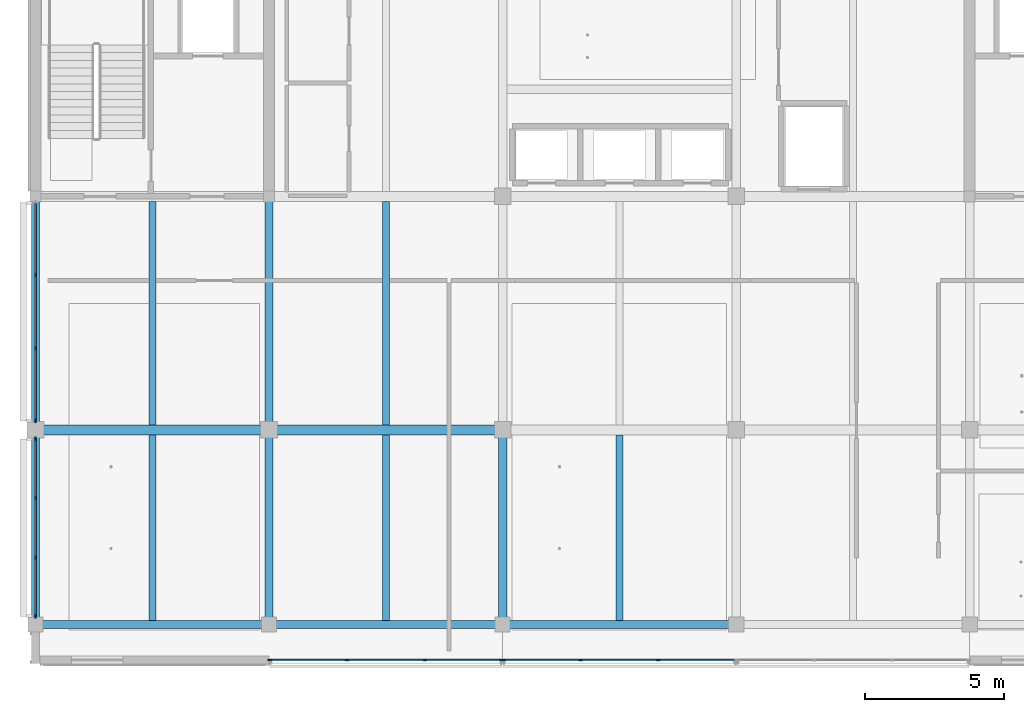
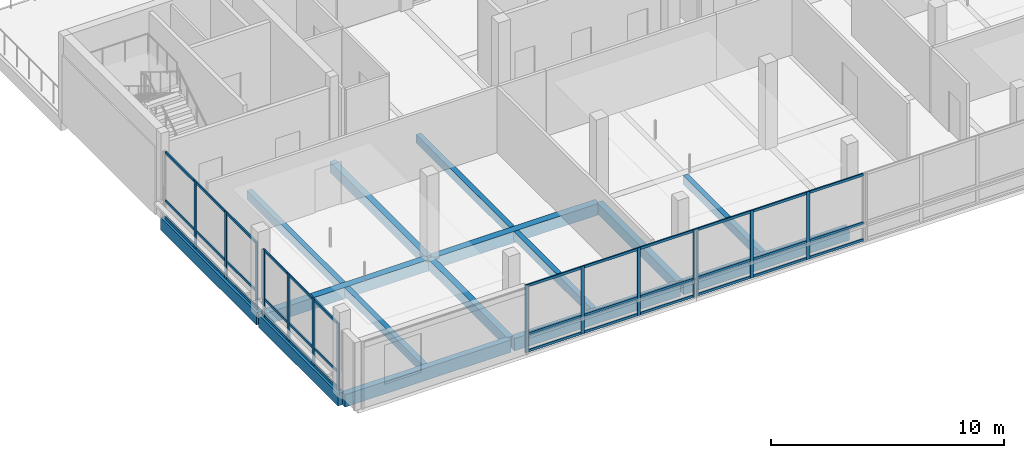
# One storey, part 2 of 25: 50 members, 15 beams, 4 elements without a shape of their own.
"""IFC4 building model written with IfcOpenShell, lengths in metres."""

from ifc_helpers import new_model, si_unit, direction, frame, origin, origin_2d, place, context, subcontext, project, spatial, rectangle, extrude, material, layer, layer_set, material_profile, profile_set, type_object, element, aggregate, save


model = new_model("IFC4")

# Units and contexts
model_context = context("Model", 3, precision=1e-05, world=origin(), true_north=direction((0.0, 1.0)))
body_context = subcontext(model_context, "Body", "Model", "MODEL_VIEW")
ifc_project = project(units=[si_unit("LENGTHUNIT", "METRE"), si_unit("AREAUNIT", "SQUARE_METRE"), si_unit("VOLUMEUNIT", "CUBIC_METRE"), si_unit("PLANEANGLEUNIT", "RADIAN"), si_unit("MASSUNIT", "GRAM", prefix="KILO")], contexts=[model_context])

# Site, building, storey
site_placement = place(None, origin())
site = spatial("IfcSite", under=ifc_project, at=site_placement, CompositionType="ELEMENT")
building_placement = place(site_placement, origin())
building = spatial("IfcBuilding", under=site, at=building_placement, Name="Telukmera Botanical Conservatory", CompositionType="ELEMENT")
storey_placement = place(building_placement, frame((0.0, 0.0, 64.5)))
storey = spatial("IfcBuildingStorey", under=building, at=storey_placement, Name="L14", CompositionType="ELEMENT", Elevation=64.5)

# Beams
ifc_material_1 = material(Name="Concrete C40/50", Category="concrete")
ifc_material_profile_1 = material_profile(ifc_material_1, rectangle(XDim=0.300048828125, YDim=0.550048828125, at=origin_2d()), Name="RC 300x550")
ifc_profile_set_1 = profile_set([ifc_material_profile_1], Name="Concrete C40/50")
beam_type_1 = type_object("IfcBeamType", Name="Beam_B10", PredefinedType="BEAM", material=ifc_profile_set_1)
beam_1_placement = place(storey_placement, frame((67.199951171875, 10.679931640625, -0.27490234375), z_axis=(0.0, 1.0, 0.0), x_axis=(-1.0, 0.0, 0.0)))
element("IfcBeam", 1, at=beam_1_placement, inside=storey, type_object=beam_type_1, Name="Tower Transverse Beam L14", PredefinedType="BEAM", context=body_context, shape_type="SweptSolid", body=[
    extrude(rectangle(XDim=0.300048828125, YDim=0.550048828125, at=origin_2d()), origin(), (0.0, 0.0, 1.0), 6.840087890625),
])
beam_2_placement = place(storey_placement, frame((67.199951171875, 17.679931640625, -0.27490234375), z_axis=(0.0, 1.0, 0.0), x_axis=(-1.0, 0.0, 0.0)))
element("IfcBeam", 2, at=beam_2_placement, inside=storey, type_object=beam_type_1, Name="Tower Transverse Beam L14", PredefinedType="BEAM", context=body_context, shape_type="SweptSolid", body=[
    extrude(rectangle(XDim=0.300048828125, YDim=0.550048828125, at=origin_2d()), origin(), (0.0, 0.0, 1.0), 8.239990234375),
])
beam_3_placement = place(storey_placement, frame((75.60009765625, 10.679931640625, -0.27490234375), z_axis=(0.0, 1.0, 0.0), x_axis=(-1.0, 0.0, 0.0)))
element("IfcBeam", 3, at=beam_3_placement, inside=storey, type_object=beam_type_1, Name="Tower Transverse Beam L14", PredefinedType="BEAM", context=body_context, shape_type="SweptSolid", body=[
    extrude(rectangle(XDim=0.300048828125, YDim=0.550048828125, at=origin_2d()), origin(), (0.0, 0.0, 1.0), 6.840087890625),
])
ifc_material_profile_2 = material_profile(ifc_material_1, rectangle(XDim=0.25, YDim=0.449951171875, at=origin_2d()), Name="RC 250x450")
ifc_profile_set_2 = profile_set([ifc_material_profile_2], Name="Concrete C40/50")
beam_type_2 = type_object("IfcBeamType", Name="Beam_B27", PredefinedType="JOIST", material=ifc_profile_set_2)
beam_4_placement = place(storey_placement, frame((63.0, 10.75, -0.22509765625), z_axis=(0.0, 1.0, 0.0), x_axis=(-1.0, 0.0, 0.0)))
element("IfcBeam", 4, at=beam_4_placement, inside=storey, type_object=beam_type_2, Name="Tower Secondary Floor Joist L14", PredefinedType="JOIST", context=body_context, shape_type="SweptSolid", body=[
    extrude(rectangle(XDim=0.25, YDim=0.449951171875, at=origin_2d()), origin(), (0.0, 0.0, 1.0), 6.675048828125),
])
beam_5_placement = place(storey_placement, frame((63.0, 17.77490234375, -0.22509765625), z_axis=(0.0, 1.0, 0.0), x_axis=(-1.0, 0.0, 0.0)))
element("IfcBeam", 5, at=beam_5_placement, inside=storey, type_object=beam_type_2, Name="Tower Secondary Floor Joist L14", PredefinedType="JOIST", context=body_context, shape_type="SweptSolid", body=[
    extrude(rectangle(XDim=0.25, YDim=0.449951171875, at=origin_2d()), origin(), (0.0, 0.0, 1.0), 8.050048828125),
])
beam_6_placement = place(storey_placement, frame((71.39990234375, 10.75, -0.22509765625), z_axis=(0.0, 1.0, 0.0), x_axis=(-1.0, 0.0, 0.0)))
element("IfcBeam", 6, at=beam_6_placement, inside=storey, type_object=beam_type_2, Name="Tower Secondary Floor Joist L14", PredefinedType="JOIST", context=body_context, shape_type="SweptSolid", body=[
    extrude(rectangle(XDim=0.25, YDim=0.449951171875, at=origin_2d()), origin(), (0.0, 0.0, 1.0), 6.675048828125),
])
beam_7_placement = place(storey_placement, frame((71.39990234375, 17.77490234375, -0.22509765625), z_axis=(0.0, 1.0, 0.0), x_axis=(-1.0, 0.0, 0.0)))
element("IfcBeam", 7, at=beam_7_placement, inside=storey, type_object=beam_type_2, Name="Tower Secondary Floor Joist L14", PredefinedType="JOIST", context=body_context, shape_type="SweptSolid", body=[
    extrude(rectangle(XDim=0.25, YDim=0.449951171875, at=origin_2d()), origin(), (0.0, 0.0, 1.0), 8.050048828125),
])
beam_8_placement = place(storey_placement, frame((79.800048828125, 10.75, -0.22509765625), z_axis=(0.0, 1.0, 0.0), x_axis=(-1.0, 0.0, 0.0)))
element("IfcBeam", 8, at=beam_8_placement, inside=storey, type_object=beam_type_2, Name="Tower Secondary Floor Joist L14", PredefinedType="JOIST", context=body_context, shape_type="SweptSolid", body=[
    extrude(rectangle(XDim=0.25, YDim=0.449951171875, at=origin_2d()), origin(), (0.0, 0.0, 1.0), 6.675048828125),
])
ifc_material_profile_3 = material_profile(ifc_material_1, rectangle(XDim=0.35009765625, YDim=0.60009765625, at=origin_2d()), Name="RC 350x600")
ifc_profile_set_3 = profile_set([ifc_material_profile_3], Name="Concrete C40/50")
beam_type_3 = type_object("IfcBeamType", Name="Beam_B9", PredefinedType="BEAM", material=ifc_profile_set_3)
beam_9_placement = place(storey_placement, frame((58.8798828125, 17.60009765625, -0.300048828125), z_axis=(1.0, 0.0, 0.0), x_axis=(0.0, 1.0, 0.0)))
element("IfcBeam", 9, at=beam_9_placement, inside=storey, type_object=beam_type_3, Name="Tower Grid Beam L14", PredefinedType="BEAM", context=body_context, shape_type="SweptSolid", body=[
    extrude(rectangle(XDim=0.35009765625, YDim=0.60009765625, at=origin_2d()), origin(), (0.0, 0.0, 1.0), 8.240234375),
])
beam_10_placement = place(storey_placement, frame((67.280029296875, 17.60009765625, -0.300048828125), z_axis=(1.0, 0.0, 0.0), x_axis=(0.0, 1.0, 0.0)))
element("IfcBeam", 10, at=beam_10_placement, inside=storey, type_object=beam_type_3, Name="Tower Grid Beam L14", PredefinedType="BEAM", context=body_context, shape_type="SweptSolid", body=[
    extrude(rectangle(XDim=0.35009765625, YDim=0.60009765625, at=origin_2d()), origin(), (0.0, 0.0, 1.0), 8.239990234375),
])
ifc_material_2 = material(Name="Precast concrete C40/50", Category="concrete")
ifc_material_profile_4 = material_profile(ifc_material_2, rectangle(XDim=0.300048828125, YDim=0.64990234375, at=origin_2d()), Name="PC 300x650")
ifc_profile_set_4 = profile_set([ifc_material_profile_4], Name="Precast concrete C40/50")
beam_type_4 = type_object("IfcBeamType", Name="Beam_SP4", PredefinedType="SPANDREL", material=ifc_profile_set_4)
beam_11_placement = place(storey_placement, frame((58.8798828125, 10.60009765625, -0.324951171875), z_axis=(1.0, 0.0, 0.0), x_axis=(0.0, 1.0, 0.0)))
element("IfcBeam", 11, at=beam_11_placement, inside=storey, type_object=beam_type_4, Name="Tower Grid Beam L14", PredefinedType="SPANDREL", context=body_context, shape_type="SweptSolid", body=[
    extrude(rectangle(XDim=0.300048828125, YDim=0.64990234375, at=origin_2d()), origin(), (0.0, 0.0, 1.0), 8.240234375),
])
for number, where, z_axis, x_axis, name in (
    (12, (67.280029296875, 10.60009765625, -0.324951171875), (1.0, 0.0, 0.0), (0.0, 1.0, 0.0), "Tower Grid Beam L14"),
    (13, (75.679931640625, 10.60009765625, -0.324951171875), (1.0, 0.0, 0.0), (0.0, 1.0, 0.0), "Tower Grid Beam L14"),
):
    element("IfcBeam", number, at=place(storey_placement, frame(where, z_axis=z_axis, x_axis=x_axis)), inside=storey, type_object=beam_type_4, Name=name, PredefinedType="SPANDREL", context=body_context, shape_type="SweptSolid", body=[
        extrude(rectangle(XDim=0.300048828125, YDim=0.64990234375, at=origin_2d()), origin(), (0.0, 0.0, 1.0), 8.239990234375),
    ])
beam_12_placement = place(storey_placement, frame((58.800048828125, 10.679931640625, -0.324951171875), z_axis=(0.0, 1.0, 0.0), x_axis=(-1.0, 0.0, 0.0)))
element("IfcBeam", 14, at=beam_12_placement, inside=storey, type_object=beam_type_4, Name="Tower Transverse Beam L14", PredefinedType="SPANDREL", context=body_context, shape_type="SweptSolid", body=[
    extrude(rectangle(XDim=0.300048828125, YDim=0.64990234375, at=origin_2d()), origin(), (0.0, 0.0, 1.0), 6.840087890625),
])
beam_13_placement = place(storey_placement, frame((58.800048828125, 17.679931640625, -0.324951171875), z_axis=(0.0, 1.0, 0.0), x_axis=(-1.0, 0.0, 0.0)))
element("IfcBeam", 15, at=beam_13_placement, inside=storey, type_object=beam_type_4, Name="Tower Transverse Beam L14", PredefinedType="SPANDREL", context=body_context, shape_type="SweptSolid", body=[
    extrude(rectangle(XDim=0.300048828125, YDim=0.64990234375, at=origin_2d()), origin(), (0.0, 0.0, 1.0), 8.239990234375),
])

# Curtain wall, members
ifc_material_3 = material(Name="Anodised aluminium 6063-T6", Category="aluminium")
ifc_layer = layer(ifc_material_3, 0.179931640625)
ifc_layer_set = layer_set([ifc_layer], Name="Anodised aluminium 6063-T6")
curtain_wall_type = type_object("IfcCurtainWallType", Name="Tower Sky Gallery Panoramic Curtain Wall", PredefinedType="USERDEFINED", material=ifc_layer_set)
curtain_wall_1_placement = place(storey_placement, origin())
curtain_wall_1 = element("IfcCurtainWall", 16, at=curtain_wall_1_placement, inside=storey, type_object=curtain_wall_type, Name="Unitised Curtain Wall CW16 V4:L14:S2", ObjectType="UNITISED CURTAIN WALL", PredefinedType="USERDEFINED")
ifc_material_profile_5 = material_profile(ifc_material_3, rectangle(XDim=0.06494140625, YDim=0.159912109375, at=origin_2d()), Name="ALU MULL 65x160")
ifc_profile_set_5 = profile_set([ifc_material_profile_5], Name="Anodised aluminium 6063-T6")
member_type_1 = type_object("IfcMemberType", Name="Curtain Wall Extruded Mullion 65x160", PredefinedType="MULLION", material=ifc_profile_set_5)
member_1_placement = place(storey_placement, frame((67.234619140625, 9.320068359375, 0.0), z_axis=(0.0, 0.0, 1.0), x_axis=(0.0, 1.0, 0.0)))
member_1 = element("IfcMember", 17, at=member_1_placement, type_object=member_type_1, Name="CW16 mullion 1", PredefinedType="MULLION", context=body_context, shape_type="SweptSolid", body=[
    extrude(rectangle(XDim=0.06494140625, YDim=0.159912109375, at=origin_2d()), origin(), (0.0, 0.0, 1.0), 3.550048828125),
])
member_2_placement = place(storey_placement, frame((70.000732421875, 9.320068359375, 0.0), z_axis=(0.0, 0.0, 1.0), x_axis=(0.0, 1.0, 0.0)))
member_2 = element("IfcMember", 18, at=member_2_placement, type_object=member_type_1, Name="CW16 mullion 2", PredefinedType="MULLION", context=body_context, shape_type="SweptSolid", body=[
    extrude(rectangle(XDim=0.06494140625, YDim=0.159912109375, at=origin_2d()), origin(), (0.0, 0.0, 1.0), 3.550048828125),
])
member_3_placement = place(storey_placement, frame((72.79931640625, 9.320068359375, 0.0), z_axis=(0.0, 0.0, 1.0), x_axis=(0.0, 1.0, 0.0)))
member_3 = element("IfcMember", 19, at=member_3_placement, type_object=member_type_1, Name="CW16 mullion 3", PredefinedType="MULLION", context=body_context, shape_type="SweptSolid", body=[
    extrude(rectangle(XDim=0.06494140625, YDim=0.159912109375, at=origin_2d()), origin(), (0.0, 0.0, 1.0), 3.550048828125),
])
member_4_placement = place(storey_placement, frame((75.5654296875, 9.320068359375, 0.0), z_axis=(0.0, 0.0, 1.0), x_axis=(0.0, 1.0, 0.0)))
member_4 = element("IfcMember", 20, at=member_4_placement, type_object=member_type_1, Name="CW16 mullion 4", PredefinedType="MULLION", context=body_context, shape_type="SweptSolid", body=[
    extrude(rectangle(XDim=0.06494140625, YDim=0.159912109375, at=origin_2d()), origin(), (0.0, 0.0, 1.0), 3.550048828125),
])

curtain_wall_2_placement = place(storey_placement, origin())
curtain_wall_2 = element("IfcCurtainWall", 21, at=curtain_wall_2_placement, inside=storey, type_object=curtain_wall_type, Name="Unitised Curtain Wall CW16 V4:L14:S3", ObjectType="UNITISED CURTAIN WALL", PredefinedType="USERDEFINED")
member_5_placement = place(storey_placement, frame((75.634521484375, 9.320068359375, 0.0), z_axis=(0.0, 0.0, 1.0), x_axis=(0.0, 1.0, 0.0)))
member_5 = element("IfcMember", 22, at=member_5_placement, type_object=member_type_1, Name="CW16 mullion 1", PredefinedType="MULLION", context=body_context, shape_type="SweptSolid", body=[
    extrude(rectangle(XDim=0.06494140625, YDim=0.159912109375, at=origin_2d()), origin(), (0.0, 0.0, 1.0), 3.550048828125),
])
member_6_placement = place(storey_placement, frame((78.400634765625, 9.320068359375, 0.0), z_axis=(0.0, 0.0, 1.0), x_axis=(0.0, 1.0, 0.0)))
member_6 = element("IfcMember", 23, at=member_6_placement, type_object=member_type_1, Name="CW16 mullion 2", PredefinedType="MULLION", context=body_context, shape_type="SweptSolid", body=[
    extrude(rectangle(XDim=0.06494140625, YDim=0.159912109375, at=origin_2d()), origin(), (0.0, 0.0, 1.0), 3.550048828125),
])
member_7_placement = place(storey_placement, frame((81.19921875, 9.320068359375, 0.0), z_axis=(0.0, 0.0, 1.0), x_axis=(0.0, 1.0, 0.0)))
member_7 = element("IfcMember", 24, at=member_7_placement, type_object=member_type_1, Name="CW16 mullion 3", PredefinedType="MULLION", context=body_context, shape_type="SweptSolid", body=[
    extrude(rectangle(XDim=0.06494140625, YDim=0.159912109375, at=origin_2d()), origin(), (0.0, 0.0, 1.0), 3.550048828125),
])

curtain_wall_3_placement = place(storey_placement, origin())
curtain_wall_3 = element("IfcCurtainWall", 25, at=curtain_wall_3_placement, inside=storey, type_object=curtain_wall_type, Name="Unitised Curtain Wall CW16 V4:L14:W1", ObjectType="UNITISED CURTAIN WALL", PredefinedType="USERDEFINED")
member_8_placement = place(storey_placement, frame((58.800048828125, 10.909423828125, 0.0), z_axis=(0.0, 0.0, 1.0), x_axis=(-1.0, 0.0, 0.0)))
member_8 = element("IfcMember", 26, at=member_8_placement, type_object=member_type_1, Name="CW16 mullion 1", PredefinedType="MULLION", context=body_context, shape_type="SweptSolid", body=[
    extrude(rectangle(XDim=0.06494140625, YDim=0.159912109375, at=origin_2d()), origin(), (0.0, 0.0, 1.0), 3.550048828125),
])
member_9_placement = place(storey_placement, frame((58.800048828125, 13.017333984375, 0.0), z_axis=(0.0, 0.0, 1.0), x_axis=(-1.0, 0.0, 0.0)))
member_9 = element("IfcMember", 27, at=member_9_placement, type_object=member_type_1, Name="CW16 mullion 2", PredefinedType="MULLION", context=body_context, shape_type="SweptSolid", body=[
    extrude(rectangle(XDim=0.06494140625, YDim=0.159912109375, at=origin_2d()), origin(), (0.0, 0.0, 1.0), 3.550048828125),
])
member_10_placement = place(storey_placement, frame((58.800048828125, 15.15771484375, 0.0), z_axis=(0.0, 0.0, 1.0), x_axis=(-1.0, 0.0, 0.0)))
member_10 = element("IfcMember", 28, at=member_10_placement, type_object=member_type_1, Name="CW16 mullion 3", PredefinedType="MULLION", context=body_context, shape_type="SweptSolid", body=[
    extrude(rectangle(XDim=0.06494140625, YDim=0.159912109375, at=origin_2d()), origin(), (0.0, 0.0, 1.0), 3.550048828125),
])
member_11_placement = place(storey_placement, frame((58.800048828125, 17.265380859375, 0.0), z_axis=(0.0, 0.0, 1.0), x_axis=(-1.0, 0.0, 0.0)))
member_11 = element("IfcMember", 29, at=member_11_placement, type_object=member_type_1, Name="CW16 mullion 4", PredefinedType="MULLION", context=body_context, shape_type="SweptSolid", body=[
    extrude(rectangle(XDim=0.06494140625, YDim=0.159912109375, at=origin_2d()), origin(), (0.0, 0.0, 1.0), 3.550048828125),
])

curtain_wall_4_placement = place(storey_placement, origin())
curtain_wall_4 = element("IfcCurtainWall", 30, at=curtain_wall_4_placement, inside=storey, type_object=curtain_wall_type, Name="Unitised Curtain Wall CW16 V4:L14:W2", ObjectType="UNITISED CURTAIN WALL", PredefinedType="USERDEFINED")
member_12_placement = place(storey_placement, frame((58.800048828125, 17.9345703125, 0.0), z_axis=(0.0, 0.0, 1.0), x_axis=(-1.0, 0.0, 0.0)))
member_12 = element("IfcMember", 31, at=member_12_placement, type_object=member_type_1, Name="CW16 mullion 1", PredefinedType="MULLION", context=body_context, shape_type="SweptSolid", body=[
    extrude(rectangle(XDim=0.06494140625, YDim=0.159912109375, at=origin_2d()), origin(), (0.0, 0.0, 1.0), 3.550048828125),
])
member_13_placement = place(storey_placement, frame((58.800048828125, 20.533935546875, 0.0), z_axis=(0.0, 0.0, 1.0), x_axis=(-1.0, 0.0, 0.0)))
member_13 = element("IfcMember", 32, at=member_13_placement, type_object=member_type_1, Name="CW16 mullion 2", PredefinedType="MULLION", context=body_context, shape_type="SweptSolid", body=[
    extrude(rectangle(XDim=0.06494140625, YDim=0.159912109375, at=origin_2d()), origin(), (0.0, 0.0, 1.0), 3.550048828125),
])
member_14_placement = place(storey_placement, frame((58.800048828125, 23.166015625, 0.0), z_axis=(0.0, 0.0, 1.0), x_axis=(-1.0, 0.0, 0.0)))
member_14 = element("IfcMember", 33, at=member_14_placement, type_object=member_type_1, Name="CW16 mullion 3", PredefinedType="MULLION", context=body_context, shape_type="SweptSolid", body=[
    extrude(rectangle(XDim=0.06494140625, YDim=0.159912109375, at=origin_2d()), origin(), (0.0, 0.0, 1.0), 3.550048828125),
])

# Member
ifc_material_profile_6 = material_profile(ifc_material_3, rectangle(XDim=0.06494140625, YDim=0.1298828125, at=origin_2d()), Name="ALU TRAN 65x130")
ifc_profile_set_6 = profile_set([ifc_material_profile_6], Name="Anodised aluminium 6063-T6")
member_type_2 = type_object("IfcMemberType", Name="Curtain Wall Extruded Transom 65x130", PredefinedType="USERDEFINED", material=ifc_profile_set_6)
member_15_placement = place(storey_placement, frame((67.26708984375, 9.320068359375, 0.06494140625), z_axis=(1.0, 0.0, 0.0), x_axis=(0.0, 1.0, 0.0)))
member_15 = element("IfcMember", 34, at=member_15_placement, type_object=member_type_2, Name="CW16 transom 1.1", ObjectType="TRANSOM", PredefinedType="USERDEFINED", context=body_context, shape_type="SweptSolid", body=[
    extrude(rectangle(XDim=0.06494140625, YDim=0.1298828125, at=origin_2d()), origin(), (0.0, 0.0, 1.0), 2.701171875),
])

member_16_placement = place(storey_placement, frame((67.26708984375, 9.320068359375, 0.949951171875), z_axis=(1.0, 0.0, 0.0), x_axis=(0.0, 1.0, 0.0)))
member_16 = element("IfcMember", 35, at=member_16_placement, type_object=member_type_2, Name="CW16 transom 1.2", ObjectType="TRANSOM", PredefinedType="USERDEFINED", context=body_context, shape_type="SweptSolid", body=[
    extrude(rectangle(XDim=0.06494140625, YDim=0.1298828125, at=origin_2d()), origin(), (0.0, 0.0, 1.0), 2.701171875),
])

member_17_placement = place(storey_placement, frame((67.26708984375, 9.320068359375, 3.485107421875), z_axis=(1.0, 0.0, 0.0), x_axis=(0.0, 1.0, 0.0)))
member_17 = element("IfcMember", 36, at=member_17_placement, type_object=member_type_2, Name="CW16 transom 1.3", ObjectType="TRANSOM", PredefinedType="USERDEFINED", context=body_context, shape_type="SweptSolid", body=[
    extrude(rectangle(XDim=0.06494140625, YDim=0.1298828125, at=origin_2d()), origin(), (0.0, 0.0, 1.0), 2.701171875),
])

member_18_placement = place(storey_placement, frame((70.033203125, 9.320068359375, 0.06494140625), z_axis=(1.0, 0.0, 0.0), x_axis=(0.0, 1.0, 0.0)))
member_18 = element("IfcMember", 37, at=member_18_placement, type_object=member_type_2, Name="CW16 transom 2.1", ObjectType="TRANSOM", PredefinedType="USERDEFINED", context=body_context, shape_type="SweptSolid", body=[
    extrude(rectangle(XDim=0.06494140625, YDim=0.1298828125, at=origin_2d()), origin(), (0.0, 0.0, 1.0), 2.733642578125),
])

member_19_placement = place(storey_placement, frame((70.033203125, 9.320068359375, 0.949951171875), z_axis=(1.0, 0.0, 0.0), x_axis=(0.0, 1.0, 0.0)))
member_19 = element("IfcMember", 38, at=member_19_placement, type_object=member_type_2, Name="CW16 transom 2.2", ObjectType="TRANSOM", PredefinedType="USERDEFINED", context=body_context, shape_type="SweptSolid", body=[
    extrude(rectangle(XDim=0.06494140625, YDim=0.1298828125, at=origin_2d()), origin(), (0.0, 0.0, 1.0), 2.733642578125),
])

member_20_placement = place(storey_placement, frame((70.033203125, 9.320068359375, 3.485107421875), z_axis=(1.0, 0.0, 0.0), x_axis=(0.0, 1.0, 0.0)))
member_20 = element("IfcMember", 39, at=member_20_placement, type_object=member_type_2, Name="CW16 transom 2.3", ObjectType="TRANSOM", PredefinedType="USERDEFINED", context=body_context, shape_type="SweptSolid", body=[
    extrude(rectangle(XDim=0.06494140625, YDim=0.1298828125, at=origin_2d()), origin(), (0.0, 0.0, 1.0), 2.733642578125),
])

member_21_placement = place(storey_placement, frame((72.831787109375, 9.320068359375, 0.06494140625), z_axis=(1.0, 0.0, 0.0), x_axis=(0.0, 1.0, 0.0)))
member_21 = element("IfcMember", 40, at=member_21_placement, type_object=member_type_2, Name="CW16 transom 3.1", ObjectType="TRANSOM", PredefinedType="USERDEFINED", context=body_context, shape_type="SweptSolid", body=[
    extrude(rectangle(XDim=0.06494140625, YDim=0.1298828125, at=origin_2d()), origin(), (0.0, 0.0, 1.0), 2.701171875),
])

member_22_placement = place(storey_placement, frame((72.831787109375, 9.320068359375, 0.949951171875), z_axis=(1.0, 0.0, 0.0), x_axis=(0.0, 1.0, 0.0)))
member_22 = element("IfcMember", 41, at=member_22_placement, type_object=member_type_2, Name="CW16 transom 3.2", ObjectType="TRANSOM", PredefinedType="USERDEFINED", context=body_context, shape_type="SweptSolid", body=[
    extrude(rectangle(XDim=0.06494140625, YDim=0.1298828125, at=origin_2d()), origin(), (0.0, 0.0, 1.0), 2.701171875),
])

member_23_placement = place(storey_placement, frame((72.831787109375, 9.320068359375, 3.485107421875), z_axis=(1.0, 0.0, 0.0), x_axis=(0.0, 1.0, 0.0)))
member_23 = element("IfcMember", 42, at=member_23_placement, type_object=member_type_2, Name="CW16 transom 3.3", ObjectType="TRANSOM", PredefinedType="USERDEFINED", context=body_context, shape_type="SweptSolid", body=[
    extrude(rectangle(XDim=0.06494140625, YDim=0.1298828125, at=origin_2d()), origin(), (0.0, 0.0, 1.0), 2.701171875),
])

aggregate(curtain_wall_1, [member_1, member_2, member_3, member_4, member_15, member_16, member_17, member_18, member_19, member_20, member_21, member_22, member_23])

member_24_placement = place(storey_placement, frame((75.6669921875, 9.320068359375, 0.06494140625), z_axis=(1.0, 0.0, 0.0), x_axis=(0.0, 1.0, 0.0)))
member_24 = element("IfcMember", 43, at=member_24_placement, type_object=member_type_2, Name="CW16 transom 1.1", ObjectType="TRANSOM", PredefinedType="USERDEFINED", context=body_context, shape_type="SweptSolid", body=[
    extrude(rectangle(XDim=0.06494140625, YDim=0.1298828125, at=origin_2d()), origin(), (0.0, 0.0, 1.0), 2.701171875),
])

member_25_placement = place(storey_placement, frame((75.6669921875, 9.320068359375, 0.949951171875), z_axis=(1.0, 0.0, 0.0), x_axis=(0.0, 1.0, 0.0)))
member_25 = element("IfcMember", 44, at=member_25_placement, type_object=member_type_2, Name="CW16 transom 1.2", ObjectType="TRANSOM", PredefinedType="USERDEFINED", context=body_context, shape_type="SweptSolid", body=[
    extrude(rectangle(XDim=0.06494140625, YDim=0.1298828125, at=origin_2d()), origin(), (0.0, 0.0, 1.0), 2.701171875),
])

member_26_placement = place(storey_placement, frame((75.6669921875, 9.320068359375, 3.485107421875), z_axis=(1.0, 0.0, 0.0), x_axis=(0.0, 1.0, 0.0)))
member_26 = element("IfcMember", 45, at=member_26_placement, type_object=member_type_2, Name="CW16 transom 1.3", ObjectType="TRANSOM", PredefinedType="USERDEFINED", context=body_context, shape_type="SweptSolid", body=[
    extrude(rectangle(XDim=0.06494140625, YDim=0.1298828125, at=origin_2d()), origin(), (0.0, 0.0, 1.0), 2.701171875),
])

member_27_placement = place(storey_placement, frame((78.43310546875, 9.320068359375, 0.06494140625), z_axis=(1.0, 0.0, 0.0), x_axis=(0.0, 1.0, 0.0)))
member_27 = element("IfcMember", 46, at=member_27_placement, type_object=member_type_2, Name="CW16 transom 2.1", ObjectType="TRANSOM", PredefinedType="USERDEFINED", context=body_context, shape_type="SweptSolid", body=[
    extrude(rectangle(XDim=0.06494140625, YDim=0.1298828125, at=origin_2d()), origin(), (0.0, 0.0, 1.0), 2.733642578125),
])

member_28_placement = place(storey_placement, frame((78.43310546875, 9.320068359375, 0.949951171875), z_axis=(1.0, 0.0, 0.0), x_axis=(0.0, 1.0, 0.0)))
member_28 = element("IfcMember", 47, at=member_28_placement, type_object=member_type_2, Name="CW16 transom 2.2", ObjectType="TRANSOM", PredefinedType="USERDEFINED", context=body_context, shape_type="SweptSolid", body=[
    extrude(rectangle(XDim=0.06494140625, YDim=0.1298828125, at=origin_2d()), origin(), (0.0, 0.0, 1.0), 2.733642578125),
])

member_29_placement = place(storey_placement, frame((78.43310546875, 9.320068359375, 3.485107421875), z_axis=(1.0, 0.0, 0.0), x_axis=(0.0, 1.0, 0.0)))
member_29 = element("IfcMember", 48, at=member_29_placement, type_object=member_type_2, Name="CW16 transom 2.3", ObjectType="TRANSOM", PredefinedType="USERDEFINED", context=body_context, shape_type="SweptSolid", body=[
    extrude(rectangle(XDim=0.06494140625, YDim=0.1298828125, at=origin_2d()), origin(), (0.0, 0.0, 1.0), 2.733642578125),
])

member_30_placement = place(storey_placement, frame((81.23193359375, 9.320068359375, 0.06494140625), z_axis=(1.0, 0.0, 0.0), x_axis=(0.0, 1.0, 0.0)))
member_30 = element("IfcMember", 49, at=member_30_placement, type_object=member_type_2, Name="CW16 transom 3.1", ObjectType="TRANSOM", PredefinedType="USERDEFINED", context=body_context, shape_type="SweptSolid", body=[
    extrude(rectangle(XDim=0.06494140625, YDim=0.1298828125, at=origin_2d()), origin(), (0.0, 0.0, 1.0), 2.701171875),
])

member_31_placement = place(storey_placement, frame((81.23193359375, 9.320068359375, 0.949951171875), z_axis=(1.0, 0.0, 0.0), x_axis=(0.0, 1.0, 0.0)))
member_31 = element("IfcMember", 50, at=member_31_placement, type_object=member_type_2, Name="CW16 transom 3.2", ObjectType="TRANSOM", PredefinedType="USERDEFINED", context=body_context, shape_type="SweptSolid", body=[
    extrude(rectangle(XDim=0.06494140625, YDim=0.1298828125, at=origin_2d()), origin(), (0.0, 0.0, 1.0), 2.701171875),
])

member_32_placement = place(storey_placement, frame((81.23193359375, 9.320068359375, 3.485107421875), z_axis=(1.0, 0.0, 0.0), x_axis=(0.0, 1.0, 0.0)))
member_32 = element("IfcMember", 51, at=member_32_placement, type_object=member_type_2, Name="CW16 transom 3.3", ObjectType="TRANSOM", PredefinedType="USERDEFINED", context=body_context, shape_type="SweptSolid", body=[
    extrude(rectangle(XDim=0.06494140625, YDim=0.1298828125, at=origin_2d()), origin(), (0.0, 0.0, 1.0), 2.701171875),
])

aggregate(curtain_wall_2, [member_5, member_6, member_7, member_24, member_25, member_26, member_27, member_28, member_29, member_30, member_31, member_32])

member_33_placement = place(storey_placement, frame((58.800048828125, 10.94189453125, 0.06494140625), z_axis=(0.0, 1.0, 0.0), x_axis=(-1.0, 0.0, 0.0)))
member_33 = element("IfcMember", 52, at=member_33_placement, type_object=member_type_2, Name="CW16 transom 1.1", ObjectType="TRANSOM", PredefinedType="USERDEFINED", context=body_context, shape_type="SweptSolid", body=[
    extrude(rectangle(XDim=0.06494140625, YDim=0.1298828125, at=origin_2d()), origin(), (0.0, 0.0, 1.0), 2.04296875),
])

member_34_placement = place(storey_placement, frame((58.800048828125, 10.94189453125, 0.949951171875), z_axis=(0.0, 1.0, 0.0), x_axis=(-1.0, 0.0, 0.0)))
member_34 = element("IfcMember", 53, at=member_34_placement, type_object=member_type_2, Name="CW16 transom 1.2", ObjectType="TRANSOM", PredefinedType="USERDEFINED", context=body_context, shape_type="SweptSolid", body=[
    extrude(rectangle(XDim=0.06494140625, YDim=0.1298828125, at=origin_2d()), origin(), (0.0, 0.0, 1.0), 2.04296875),
])

member_35_placement = place(storey_placement, frame((58.800048828125, 10.94189453125, 3.485107421875), z_axis=(0.0, 1.0, 0.0), x_axis=(-1.0, 0.0, 0.0)))
member_35 = element("IfcMember", 54, at=member_35_placement, type_object=member_type_2, Name="CW16 transom 1.3", ObjectType="TRANSOM", PredefinedType="USERDEFINED", context=body_context, shape_type="SweptSolid", body=[
    extrude(rectangle(XDim=0.06494140625, YDim=0.1298828125, at=origin_2d()), origin(), (0.0, 0.0, 1.0), 2.04296875),
])

member_36_placement = place(storey_placement, frame((58.800048828125, 13.0498046875, 0.06494140625), z_axis=(0.0, 1.0, 0.0), x_axis=(-1.0, 0.0, 0.0)))
member_36 = element("IfcMember", 55, at=member_36_placement, type_object=member_type_2, Name="CW16 transom 2.1", ObjectType="TRANSOM", PredefinedType="USERDEFINED", context=body_context, shape_type="SweptSolid", body=[
    extrude(rectangle(XDim=0.06494140625, YDim=0.1298828125, at=origin_2d()), origin(), (0.0, 0.0, 1.0), 2.075439453125),
])

member_37_placement = place(storey_placement, frame((58.800048828125, 13.0498046875, 0.949951171875), z_axis=(0.0, 1.0, 0.0), x_axis=(-1.0, 0.0, 0.0)))
member_37 = element("IfcMember", 56, at=member_37_placement, type_object=member_type_2, Name="CW16 transom 2.2", ObjectType="TRANSOM", PredefinedType="USERDEFINED", context=body_context, shape_type="SweptSolid", body=[
    extrude(rectangle(XDim=0.06494140625, YDim=0.1298828125, at=origin_2d()), origin(), (0.0, 0.0, 1.0), 2.075439453125),
])

member_38_placement = place(storey_placement, frame((58.800048828125, 13.0498046875, 3.485107421875), z_axis=(0.0, 1.0, 0.0), x_axis=(-1.0, 0.0, 0.0)))
member_38 = element("IfcMember", 57, at=member_38_placement, type_object=member_type_2, Name="CW16 transom 2.3", ObjectType="TRANSOM", PredefinedType="USERDEFINED", context=body_context, shape_type="SweptSolid", body=[
    extrude(rectangle(XDim=0.06494140625, YDim=0.1298828125, at=origin_2d()), origin(), (0.0, 0.0, 1.0), 2.075439453125),
])

member_39_placement = place(storey_placement, frame((58.800048828125, 15.190185546875, 0.06494140625), z_axis=(0.0, 1.0, 0.0), x_axis=(-1.0, 0.0, 0.0)))
member_39 = element("IfcMember", 58, at=member_39_placement, type_object=member_type_2, Name="CW16 transom 3.1", ObjectType="TRANSOM", PredefinedType="USERDEFINED", context=body_context, shape_type="SweptSolid", body=[
    extrude(rectangle(XDim=0.06494140625, YDim=0.1298828125, at=origin_2d()), origin(), (0.0, 0.0, 1.0), 2.042724609375),
])

member_40_placement = place(storey_placement, frame((58.800048828125, 15.190185546875, 0.949951171875), z_axis=(0.0, 1.0, 0.0), x_axis=(-1.0, 0.0, 0.0)))
member_40 = element("IfcMember", 59, at=member_40_placement, type_object=member_type_2, Name="CW16 transom 3.2", ObjectType="TRANSOM", PredefinedType="USERDEFINED", context=body_context, shape_type="SweptSolid", body=[
    extrude(rectangle(XDim=0.06494140625, YDim=0.1298828125, at=origin_2d()), origin(), (0.0, 0.0, 1.0), 2.042724609375),
])

member_41_placement = place(storey_placement, frame((58.800048828125, 15.190185546875, 3.485107421875), z_axis=(0.0, 1.0, 0.0), x_axis=(-1.0, 0.0, 0.0)))
member_41 = element("IfcMember", 60, at=member_41_placement, type_object=member_type_2, Name="CW16 transom 3.3", ObjectType="TRANSOM", PredefinedType="USERDEFINED", context=body_context, shape_type="SweptSolid", body=[
    extrude(rectangle(XDim=0.06494140625, YDim=0.1298828125, at=origin_2d()), origin(), (0.0, 0.0, 1.0), 2.042724609375),
])

aggregate(curtain_wall_3, [member_8, member_9, member_10, member_11, member_33, member_34, member_35, member_36, member_37, member_38, member_39, member_40, member_41])

member_42_placement = place(storey_placement, frame((58.800048828125, 17.967041015625, 0.06494140625), z_axis=(0.0, 1.0, 0.0), x_axis=(-1.0, 0.0, 0.0)))
member_42 = element("IfcMember", 61, at=member_42_placement, type_object=member_type_2, Name="CW16 transom 1.1", ObjectType="TRANSOM", PredefinedType="USERDEFINED", context=body_context, shape_type="SweptSolid", body=[
    extrude(rectangle(XDim=0.06494140625, YDim=0.1298828125, at=origin_2d()), origin(), (0.0, 0.0, 1.0), 2.534423828125),
])

member_43_placement = place(storey_placement, frame((58.800048828125, 17.967041015625, 0.949951171875), z_axis=(0.0, 1.0, 0.0), x_axis=(-1.0, 0.0, 0.0)))
member_43 = element("IfcMember", 62, at=member_43_placement, type_object=member_type_2, Name="CW16 transom 1.2", ObjectType="TRANSOM", PredefinedType="USERDEFINED", context=body_context, shape_type="SweptSolid", body=[
    extrude(rectangle(XDim=0.06494140625, YDim=0.1298828125, at=origin_2d()), origin(), (0.0, 0.0, 1.0), 2.534423828125),
])

member_44_placement = place(storey_placement, frame((58.800048828125, 17.967041015625, 3.485107421875), z_axis=(0.0, 1.0, 0.0), x_axis=(-1.0, 0.0, 0.0)))
member_44 = element("IfcMember", 63, at=member_44_placement, type_object=member_type_2, Name="CW16 transom 1.3", ObjectType="TRANSOM", PredefinedType="USERDEFINED", context=body_context, shape_type="SweptSolid", body=[
    extrude(rectangle(XDim=0.06494140625, YDim=0.1298828125, at=origin_2d()), origin(), (0.0, 0.0, 1.0), 2.534423828125),
])

member_45_placement = place(storey_placement, frame((58.800048828125, 20.56640625, 0.06494140625), z_axis=(0.0, 1.0, 0.0), x_axis=(-1.0, 0.0, 0.0)))
member_45 = element("IfcMember", 64, at=member_45_placement, type_object=member_type_2, Name="CW16 transom 2.1", ObjectType="TRANSOM", PredefinedType="USERDEFINED", context=body_context, shape_type="SweptSolid", body=[
    extrude(rectangle(XDim=0.06494140625, YDim=0.1298828125, at=origin_2d()), origin(), (0.0, 0.0, 1.0), 2.567138671875),
])

member_46_placement = place(storey_placement, frame((58.800048828125, 20.56640625, 0.949951171875), z_axis=(0.0, 1.0, 0.0), x_axis=(-1.0, 0.0, 0.0)))
member_46 = element("IfcMember", 65, at=member_46_placement, type_object=member_type_2, Name="CW16 transom 2.2", ObjectType="TRANSOM", PredefinedType="USERDEFINED", context=body_context, shape_type="SweptSolid", body=[
    extrude(rectangle(XDim=0.06494140625, YDim=0.1298828125, at=origin_2d()), origin(), (0.0, 0.0, 1.0), 2.567138671875),
])

member_47_placement = place(storey_placement, frame((58.800048828125, 20.56640625, 3.485107421875), z_axis=(0.0, 1.0, 0.0), x_axis=(-1.0, 0.0, 0.0)))
member_47 = element("IfcMember", 66, at=member_47_placement, type_object=member_type_2, Name="CW16 transom 2.3", ObjectType="TRANSOM", PredefinedType="USERDEFINED", context=body_context, shape_type="SweptSolid", body=[
    extrude(rectangle(XDim=0.06494140625, YDim=0.1298828125, at=origin_2d()), origin(), (0.0, 0.0, 1.0), 2.567138671875),
])

member_48_placement = place(storey_placement, frame((58.800048828125, 23.198486328125, 0.06494140625), z_axis=(0.0, 1.0, 0.0), x_axis=(-1.0, 0.0, 0.0)))
member_48 = element("IfcMember", 67, at=member_48_placement, type_object=member_type_2, Name="CW16 transom 3.1", ObjectType="TRANSOM", PredefinedType="USERDEFINED", context=body_context, shape_type="SweptSolid", body=[
    extrude(rectangle(XDim=0.06494140625, YDim=0.1298828125, at=origin_2d()), origin(), (0.0, 0.0, 1.0), 2.534423828125),
])

member_49_placement = place(storey_placement, frame((58.800048828125, 23.198486328125, 0.949951171875), z_axis=(0.0, 1.0, 0.0), x_axis=(-1.0, 0.0, 0.0)))
member_49 = element("IfcMember", 68, at=member_49_placement, type_object=member_type_2, Name="CW16 transom 3.2", ObjectType="TRANSOM", PredefinedType="USERDEFINED", context=body_context, shape_type="SweptSolid", body=[
    extrude(rectangle(XDim=0.06494140625, YDim=0.1298828125, at=origin_2d()), origin(), (0.0, 0.0, 1.0), 2.534423828125),
])

member_50_placement = place(storey_placement, frame((58.800048828125, 23.198486328125, 3.485107421875), z_axis=(0.0, 1.0, 0.0), x_axis=(-1.0, 0.0, 0.0)))
member_50 = element("IfcMember", 69, at=member_50_placement, type_object=member_type_2, Name="CW16 transom 3.3", ObjectType="TRANSOM", PredefinedType="USERDEFINED", context=body_context, shape_type="SweptSolid", body=[
    extrude(rectangle(XDim=0.06494140625, YDim=0.1298828125, at=origin_2d()), origin(), (0.0, 0.0, 1.0), 2.534423828125),
])

aggregate(curtain_wall_4, [member_12, member_13, member_14, member_42, member_43, member_44, member_45, member_46, member_47, member_48, member_49, member_50])

save(model, "model.ifc")
